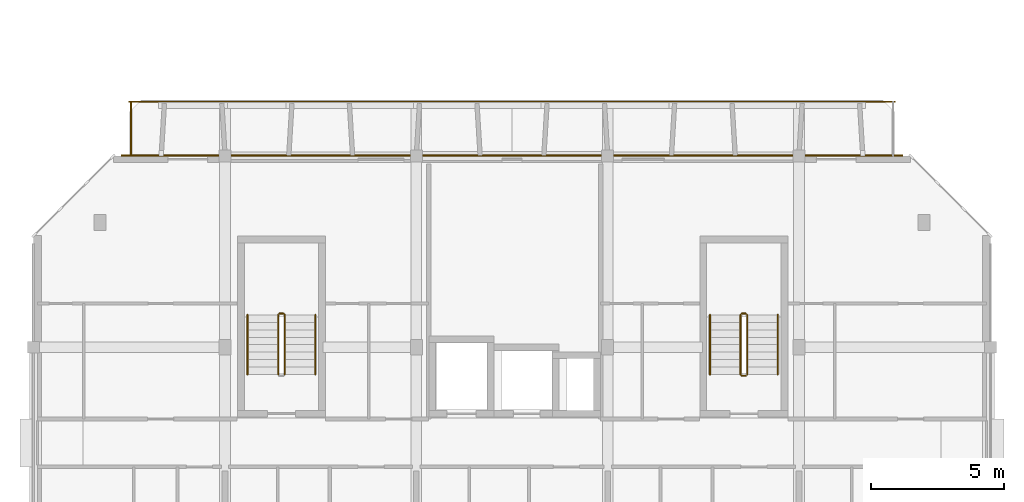
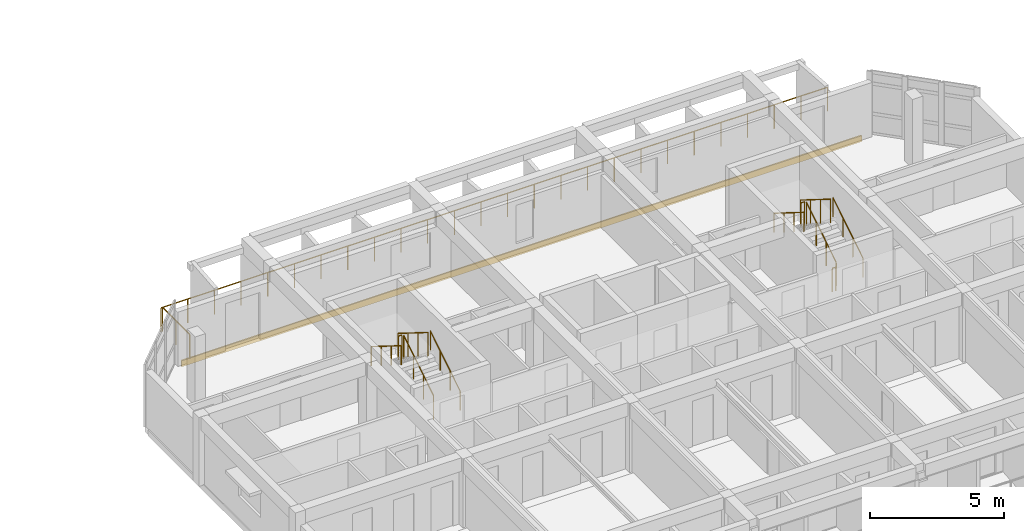
# One storey, part 19 of 22: 13 railings, 1 covering.
"""IFC4 building model written with IfcOpenShell, lengths in metres."""

from ifc_helpers import new_model, si_unit, direction, frame, origin, origin_2d, place, context, subcontext, project, spatial, rectangle, circle, extrude, material, layer, layer_set, type_object, element, save


model = new_model("IFC4")

# Units and contexts
model_context = context("Model", 3, precision=1e-05, world=origin(), true_north=direction((0.0, 1.0)))
body_context = subcontext(model_context, "Body", "Model", "MODEL_VIEW")
ifc_project = project(units=[si_unit("LENGTHUNIT", "METRE"), si_unit("AREAUNIT", "SQUARE_METRE"), si_unit("VOLUMEUNIT", "CUBIC_METRE"), si_unit("PLANEANGLEUNIT", "RADIAN"), si_unit("MASSUNIT", "GRAM", prefix="KILO")], contexts=[model_context])

# Site, building, storey
site_placement = place(None, origin())
site = spatial("IfcSite", under=ifc_project, at=site_placement, CompositionType="ELEMENT")
building_placement = place(site_placement, origin())
building = spatial("IfcBuilding", under=site, at=building_placement, Name="Ochrevale Crest", CompositionType="ELEMENT")
storey_placement = place(building_placement, frame((0.0, 0.0, 40.199951171875)))
storey = spatial("IfcBuildingStorey", under=building, at=storey_placement, Name="L12", CompositionType="ELEMENT", Elevation=40.199951171875)

# Covering
ifc_material_1 = material(Name="Glazed terracotta rainscreen tile", Category="masonry")
ifc_layer = layer(ifc_material_1, 0.048095703125)
ifc_layer_set = layer_set([ifc_layer], Name="Glazed terracotta rainscreen tile")
covering_type = type_object("IfcCoveringType", Name="COV-CLAD-TER", PredefinedType="CLADDING", material=ifc_layer_set)
covering_placement = place(storey_placement, frame((147.60009765625, 36.012451171875, -0.259765625), z_axis=(0.0, 0.0, 1.0), x_axis=(-1.0, 0.0, 0.0)))
element("IfcCovering", 1, at=covering_placement, inside=storey, type_object=covering_type, Name="Block C L12 terracotta slab-edge spandrel cladding", PredefinedType="CLADDING", context=body_context, shape_type="SweptSolid", body=[
    extrude(rectangle(XDim=29.39990234375, YDim=0.06005859375, at=origin_2d()), origin(), (0.0, 0.0, 1.0), 0.280029296875),
])

# Railings
ifc_material_2 = material(Name="Galvanised steel", Category="steel")
railing_type_1 = type_object("IfcRailingType", Name="RL-BAL-1100", PredefinedType="BALUSTRADE", material=ifc_material_2)
railing_1_placement = place(storey_placement, frame((133.199951171875, 38.0400390625, 0.0)))
element("IfcRailing", 2, at=railing_1_placement, inside=storey, type_object=railing_type_1, Name="Block C L12 N balcony front balustrade", PredefinedType="BALUSTRADE", context=body_context, shape_type="SweptSolid", body=[
    extrude(circle(Radius=0.02392578125, at=origin_2d()), frame((0.0, 0.0, 1.0859375), z_axis=(1.0, 0.0, 0.0), x_axis=(0.0, 1.0, 0.0)), (0.0, 0.0, 1.0), 28.800048828125),
    extrude(circle(Radius=0.02099609375, at=origin_2d()), origin(), (0.0, 0.0, 1.0), 1.06201171875),
    extrude(circle(Radius=0.02099609375, at=origin_2d()), frame((1.152099609375, 0.0, 0.0)), (0.0, 0.0, 1.0), 1.06201171875),
    extrude(circle(Radius=0.02099609375, at=origin_2d()), frame((2.303955078125, 0.0, 0.0)), (0.0, 0.0, 1.0), 1.06201171875),
    extrude(circle(Radius=0.02099609375, at=origin_2d()), frame((3.4560546875, 0.0, 0.0)), (0.0, 0.0, 1.0), 1.06201171875),
    extrude(circle(Radius=0.02099609375, at=origin_2d()), frame((4.60791015625, 0.0, 0.0)), (0.0, 0.0, 1.0), 1.06201171875),
    extrude(circle(Radius=0.02099609375, at=origin_2d()), frame((5.760009765625, 0.0, 0.0)), (0.0, 0.0, 1.0), 1.06201171875),
    extrude(circle(Radius=0.02099609375, at=origin_2d()), frame((6.912109375, 0.0, 0.0)), (0.0, 0.0, 1.0), 1.06201171875),
    extrude(circle(Radius=0.02099609375, at=origin_2d()), frame((8.06396484375, 0.0, 0.0)), (0.0, 0.0, 1.0), 1.06201171875),
    extrude(circle(Radius=0.02099609375, at=origin_2d()), frame((9.216064453125, 0.0, 0.0)), (0.0, 0.0, 1.0), 1.06201171875),
    extrude(circle(Radius=0.02099609375, at=origin_2d()), frame((10.367919921875, 0.0, 0.0)), (0.0, 0.0, 1.0), 1.06201171875),
    extrude(circle(Radius=0.02099609375, at=origin_2d()), frame((11.52001953125, 0.0, 0.0)), (0.0, 0.0, 1.0), 1.06201171875),
    extrude(circle(Radius=0.02099609375, at=origin_2d()), frame((12.672119140625, 0.0, 0.0)), (0.0, 0.0, 1.0), 1.06201171875),
    extrude(circle(Radius=0.02099609375, at=origin_2d()), frame((13.823974609375, 0.0, 0.0)), (0.0, 0.0, 1.0), 1.06201171875),
    extrude(circle(Radius=0.02099609375, at=origin_2d()), frame((14.97607421875, 0.0, 0.0)), (0.0, 0.0, 1.0), 1.06201171875),
    extrude(circle(Radius=0.02099609375, at=origin_2d()), frame((16.1279296875, 0.0, 0.0)), (0.0, 0.0, 1.0), 1.06201171875),
    extrude(circle(Radius=0.02099609375, at=origin_2d()), frame((17.280029296875, 0.0, 0.0)), (0.0, 0.0, 1.0), 1.06201171875),
    extrude(circle(Radius=0.02099609375, at=origin_2d()), frame((18.43212890625, 0.0, 0.0)), (0.0, 0.0, 1.0), 1.06201171875),
    extrude(circle(Radius=0.02099609375, at=origin_2d()), frame((19.583984375, 0.0, 0.0)), (0.0, 0.0, 1.0), 1.06201171875),
    extrude(circle(Radius=0.02099609375, at=origin_2d()), frame((20.736083984375, 0.0, 0.0)), (0.0, 0.0, 1.0), 1.06201171875),
    extrude(circle(Radius=0.02099609375, at=origin_2d()), frame((21.887939453125, 0.0, 0.0)), (0.0, 0.0, 1.0), 1.06201171875),
    extrude(circle(Radius=0.02099609375, at=origin_2d()), frame((23.0400390625, 0.0, 0.0)), (0.0, 0.0, 1.0), 1.06201171875),
    extrude(circle(Radius=0.02099609375, at=origin_2d()), frame((24.192138671875, 0.0, 0.0)), (0.0, 0.0, 1.0), 1.06201171875),
    extrude(circle(Radius=0.02099609375, at=origin_2d()), frame((25.343994140625, 0.0, 0.0)), (0.0, 0.0, 1.0), 1.06201171875),
    extrude(circle(Radius=0.02099609375, at=origin_2d()), frame((26.49609375, 0.0, 0.0)), (0.0, 0.0, 1.0), 1.06201171875),
    extrude(circle(Radius=0.02099609375, at=origin_2d()), frame((27.64794921875, 0.0, 0.0)), (0.0, 0.0, 1.0), 1.06201171875),
    extrude(circle(Radius=0.02099609375, at=origin_2d()), frame((28.800048828125, 0.0, 0.0)), (0.0, 0.0, 1.0), 1.06201171875),
])
railing_2_placement = place(storey_placement, frame((133.260009765625, 36.0, 0.0)))
element("IfcRailing", 3, at=railing_2_placement, inside=storey, type_object=railing_type_1, Name="Block C L12 N-W balcony side guard", PredefinedType="BALUSTRADE", context=body_context, shape_type="SweptSolid", body=[
    extrude(circle(Radius=0.02392578125, at=origin_2d()), frame((0.0, 0.0, 1.0859375), z_axis=(0.0, 1.0, 0.0), x_axis=(-1.0, 0.0, 0.0)), (0.0, 0.0, 1.0), 2.0400390625),
    extrude(circle(Radius=0.02099609375, at=origin_2d()), origin(), (0.0, 0.0, 1.0), 1.06201171875),
    extrude(circle(Radius=0.02099609375, at=origin_2d()), frame((0.0, 1.02001953125, 0.0)), (0.0, 0.0, 1.0), 1.06201171875),
    extrude(circle(Radius=0.02099609375, at=origin_2d()), frame((0.0, 2.0400390625, 0.0)), (0.0, 0.0, 1.0), 1.06201171875),
])
railing_type_2 = type_object("IfcRailingType", Name="RL-ST-GUARD", PredefinedType="BALUSTRADE", material=ifc_material_2)
railing_3_placement = place(storey_placement, frame((139.050048828125, 27.77490234375, 0.175048828125)))
element("IfcRailing", 4, at=railing_3_placement, inside=storey, type_object=railing_type_2, Name="L12 ST-C1 stair guard 1", PredefinedType="BALUSTRADE", context=body_context, shape_type="SweptSolid", body=[
    extrude(circle(Radius=0.02392578125, at=origin_2d()), frame((0.0, 0.0, 1.076171875), z_axis=(0.0, 0.848013881152, 0.529974015752), x_axis=(-1.0, 0.0, 0.0)), (0.0, 0.0, 1.0), 2.641357421875),
    extrude(circle(Radius=0.02099609375, at=origin_2d()), origin(), (0.0, 0.0, 1.0), 1.052001953125),
    extrude(circle(Radius=0.02099609375, at=origin_2d()), frame((0.0, 0.74658203125, 0.466552734375)), (0.0, 0.0, 1.0), 1.052001953125),
    extrude(circle(Radius=0.02099609375, at=origin_2d()), frame((0.0, 1.493408203125, 0.933349609375)), (0.0, 0.0, 1.0), 1.052001953125),
    extrude(circle(Radius=0.02099609375, at=origin_2d()), frame((0.0, 2.239990234375, 1.39990234375)), (0.0, 0.0, 1.0), 1.052001953125),
])
railing_4_placement = place(storey_placement, frame((139.0, 30.06494140625, 1.574951171875)))
element("IfcRailing", 5, at=railing_4_placement, inside=storey, type_object=railing_type_2, Name="L12 ST-C1 stair guard 2", PredefinedType="BALUSTRADE", context=body_context, shape_type="SweptSolid", body=[
    extrude(circle(Radius=0.02392578125, at=origin_2d()), frame((0.0, 0.0, 1.076171875), z_axis=(-1.0, 0.0, 0.0), x_axis=(0.0, -1.0, 0.0)), (0.0, 0.0, 1.0), 0.14990234375),
    extrude(circle(Radius=0.02099609375, at=origin_2d()), origin(), (0.0, 0.0, 1.0), 1.052001953125),
    extrude(circle(Radius=0.02099609375, at=origin_2d()), frame((-0.14990234375, 0.0, 0.0)), (0.0, 0.0, 1.0), 1.052001953125),
])
railing_5_placement = place(storey_placement, frame((138.800048828125, 30.014892578125, 1.75)))
element("IfcRailing", 6, at=railing_5_placement, inside=storey, type_object=railing_type_2, Name="L12 ST-C1 stair guard 3", PredefinedType="BALUSTRADE", context=body_context, shape_type="SweptSolid", body=[
    extrude(circle(Radius=0.02392578125, at=origin_2d()), frame((0.0, 0.0, 1.076171875), z_axis=(0.0, -0.847972341737, 0.530040477369), x_axis=(1.0, 0.0, 0.0)), (0.0, 0.0, 1.0), 2.6416015625),
    extrude(circle(Radius=0.02099609375, at=origin_2d()), origin(), (0.0, 0.0, 1.0), 1.052001953125),
    extrude(circle(Radius=0.02099609375, at=origin_2d()), frame((0.0, -0.74658203125, 0.466796875)), (0.0, 0.0, 1.0), 1.052001953125),
    extrude(circle(Radius=0.02099609375, at=origin_2d()), frame((0.0, -1.493408203125, 0.933349609375)), (0.0, 0.0, 1.0), 1.052001953125),
    extrude(circle(Radius=0.02099609375, at=origin_2d()), frame((0.0, -2.239990234375, 1.400146484375)), (0.0, 0.0, 1.0), 1.052001953125),
])
railing_6_placement = place(storey_placement, frame((156.449951171875, 27.77490234375, 0.175048828125)))
element("IfcRailing", 7, at=railing_6_placement, inside=storey, type_object=railing_type_2, Name="L12 ST-C2 stair guard 1", PredefinedType="BALUSTRADE", context=body_context, shape_type="SweptSolid", body=[
    extrude(circle(Radius=0.02392578125, at=origin_2d()), frame((0.0, 0.0, 1.076171875), z_axis=(0.0, 0.848013881152, 0.529974015752), x_axis=(-1.0, 0.0, 0.0)), (0.0, 0.0, 1.0), 2.641357421875),
    extrude(circle(Radius=0.02099609375, at=origin_2d()), origin(), (0.0, 0.0, 1.0), 1.052001953125),
    extrude(circle(Radius=0.02099609375, at=origin_2d()), frame((0.0, 0.74658203125, 0.466552734375)), (0.0, 0.0, 1.0), 1.052001953125),
    extrude(circle(Radius=0.02099609375, at=origin_2d()), frame((0.0, 1.493408203125, 0.933349609375)), (0.0, 0.0, 1.0), 1.052001953125),
    extrude(circle(Radius=0.02099609375, at=origin_2d()), frame((0.0, 2.239990234375, 1.39990234375)), (0.0, 0.0, 1.0), 1.052001953125),
])
railing_7_placement = place(storey_placement, frame((156.39990234375, 30.06494140625, 1.574951171875)))
element("IfcRailing", 8, at=railing_7_placement, inside=storey, type_object=railing_type_2, Name="L12 ST-C2 stair guard 2", PredefinedType="BALUSTRADE", context=body_context, shape_type="SweptSolid", body=[
    extrude(circle(Radius=0.02392578125, at=origin_2d()), frame((0.0, 0.0, 1.076171875), z_axis=(-1.0, 0.0, 0.0), x_axis=(0.0, -1.0, 0.0)), (0.0, 0.0, 1.0), 0.14990234375),
    extrude(circle(Radius=0.02099609375, at=origin_2d()), origin(), (0.0, 0.0, 1.0), 1.052001953125),
    extrude(circle(Radius=0.02099609375, at=origin_2d()), frame((-0.14990234375, 0.0, 0.0)), (0.0, 0.0, 1.0), 1.052001953125),
])
railing_8_placement = place(storey_placement, frame((156.199951171875, 30.014892578125, 1.75)))
element("IfcRailing", 9, at=railing_8_placement, inside=storey, type_object=railing_type_2, Name="L12 ST-C2 stair guard 3", PredefinedType="BALUSTRADE", context=body_context, shape_type="SweptSolid", body=[
    extrude(circle(Radius=0.02392578125, at=origin_2d()), frame((0.0, 0.0, 1.076171875), z_axis=(0.0, -0.847972341737, 0.530040477369), x_axis=(1.0, 0.0, 0.0)), (0.0, 0.0, 1.0), 2.6416015625),
    extrude(circle(Radius=0.02099609375, at=origin_2d()), origin(), (0.0, 0.0, 1.0), 1.052001953125),
    extrude(circle(Radius=0.02099609375, at=origin_2d()), frame((0.0, -0.74658203125, 0.466796875)), (0.0, 0.0, 1.0), 1.052001953125),
    extrude(circle(Radius=0.02099609375, at=origin_2d()), frame((0.0, -1.493408203125, 0.933349609375)), (0.0, 0.0, 1.0), 1.052001953125),
    extrude(circle(Radius=0.02099609375, at=origin_2d()), frame((0.0, -2.239990234375, 1.400146484375)), (0.0, 0.0, 1.0), 1.052001953125),
])
railing_9_placement = place(storey_placement, frame((156.39990234375, 27.72509765625, 0.0)))
element("IfcRailing", 10, at=railing_9_placement, inside=storey, type_object=railing_type_2, Name="L12 ST-C2 stair guard 4", PredefinedType="BALUSTRADE", context=body_context, shape_type="SweptSolid", body=[
    extrude(circle(Radius=0.02392578125, at=origin_2d()), frame((0.0, 0.0, 1.076171875), z_axis=(-1.0, 0.0, 0.0), x_axis=(0.0, -1.0, 0.0)), (0.0, 0.0, 1.0), 0.14990234375),
    extrude(circle(Radius=0.02099609375, at=origin_2d()), origin(), (0.0, 0.0, 1.0), 1.052001953125),
    extrude(circle(Radius=0.02099609375, at=origin_2d()), frame((-0.14990234375, 0.0, 0.0)), (0.0, 0.0, 1.0), 1.052001953125),
])
ifc_material_3 = material(Name="Stainless steel", Category="steel")
railing_type_3 = type_object("IfcRailingType", Name="RL-ST-HRAIL", PredefinedType="HANDRAIL", material=ifc_material_3)
railing_10_placement = place(storey_placement, frame((140.199951171875, 27.77490234375, 0.175048828125)))
element("IfcRailing", 11, at=railing_10_placement, inside=storey, type_object=railing_type_3, Name="L12 ST-C1 stair handrail 1", PredefinedType="HANDRAIL", context=body_context, shape_type="SweptSolid", body=[
    extrude(circle(Radius=0.02392578125, at=origin_2d()), frame((0.0, 0.0, 0.8759765625), z_axis=(0.0, 0.848013881152, 0.529974015752), x_axis=(-1.0, 0.0, 0.0)), (0.0, 0.0, 1.0), 2.641357421875),
    extrude(circle(Radius=0.02099609375, at=origin_2d()), origin(), (0.0, 0.0, 1.0), 0.851806640625),
    extrude(circle(Radius=0.02099609375, at=origin_2d()), frame((0.0, 0.74658203125, 0.466552734375)), (0.0, 0.0, 1.0), 0.851806640625),
    extrude(circle(Radius=0.02099609375, at=origin_2d()), frame((0.0, 1.493408203125, 0.933349609375)), (0.0, 0.0, 1.0), 0.851806640625),
    extrude(circle(Radius=0.02099609375, at=origin_2d()), frame((0.0, 2.239990234375, 1.39990234375)), (0.0, 0.0, 1.0), 0.851806640625),
])
railing_11_placement = place(storey_placement, frame((137.64990234375, 30.014892578125, 1.75)))
element("IfcRailing", 12, at=railing_11_placement, inside=storey, type_object=railing_type_3, Name="L12 ST-C1 stair handrail 2", PredefinedType="HANDRAIL", context=body_context, shape_type="SweptSolid", body=[
    extrude(circle(Radius=0.02392578125, at=origin_2d()), frame((0.0, 0.0, 0.8759765625), z_axis=(0.0, -0.847972341737, 0.530040477369), x_axis=(1.0, 0.0, 0.0)), (0.0, 0.0, 1.0), 2.6416015625),
    extrude(circle(Radius=0.02099609375, at=origin_2d()), origin(), (0.0, 0.0, 1.0), 0.851806640625),
    extrude(circle(Radius=0.02099609375, at=origin_2d()), frame((0.0, -0.74658203125, 0.466796875)), (0.0, 0.0, 1.0), 0.851806640625),
    extrude(circle(Radius=0.02099609375, at=origin_2d()), frame((0.0, -1.493408203125, 0.933349609375)), (0.0, 0.0, 1.0), 0.851806640625),
    extrude(circle(Radius=0.02099609375, at=origin_2d()), frame((0.0, -2.239990234375, 1.400146484375)), (0.0, 0.0, 1.0), 0.851806640625),
])
railing_12_placement = place(storey_placement, frame((157.60009765625, 27.77490234375, 0.175048828125)))
element("IfcRailing", 13, at=railing_12_placement, inside=storey, type_object=railing_type_3, Name="L12 ST-C2 stair handrail 1", PredefinedType="HANDRAIL", context=body_context, shape_type="SweptSolid", body=[
    extrude(circle(Radius=0.02392578125, at=origin_2d()), frame((0.0, 0.0, 0.8759765625), z_axis=(0.0, 0.848013881152, 0.529974015752), x_axis=(-1.0, 0.0, 0.0)), (0.0, 0.0, 1.0), 2.641357421875),
    extrude(circle(Radius=0.02099609375, at=origin_2d()), origin(), (0.0, 0.0, 1.0), 0.851806640625),
    extrude(circle(Radius=0.02099609375, at=origin_2d()), frame((0.0, 0.74658203125, 0.466552734375)), (0.0, 0.0, 1.0), 0.851806640625),
    extrude(circle(Radius=0.02099609375, at=origin_2d()), frame((0.0, 1.493408203125, 0.933349609375)), (0.0, 0.0, 1.0), 0.851806640625),
    extrude(circle(Radius=0.02099609375, at=origin_2d()), frame((0.0, 2.239990234375, 1.39990234375)), (0.0, 0.0, 1.0), 0.851806640625),
])
railing_13_placement = place(storey_placement, frame((155.050048828125, 30.014892578125, 1.75)))
element("IfcRailing", 14, at=railing_13_placement, inside=storey, type_object=railing_type_3, Name="L12 ST-C2 stair handrail 2", PredefinedType="HANDRAIL", context=body_context, shape_type="SweptSolid", body=[
    extrude(circle(Radius=0.02392578125, at=origin_2d()), frame((0.0, 0.0, 0.8759765625), z_axis=(0.0, -0.847972341737, 0.530040477369), x_axis=(1.0, 0.0, 0.0)), (0.0, 0.0, 1.0), 2.6416015625),
    extrude(circle(Radius=0.02099609375, at=origin_2d()), origin(), (0.0, 0.0, 1.0), 0.851806640625),
    extrude(circle(Radius=0.02099609375, at=origin_2d()), frame((0.0, -0.74658203125, 0.466796875)), (0.0, 0.0, 1.0), 0.851806640625),
    extrude(circle(Radius=0.02099609375, at=origin_2d()), frame((0.0, -1.493408203125, 0.933349609375)), (0.0, 0.0, 1.0), 0.851806640625),
    extrude(circle(Radius=0.02099609375, at=origin_2d()), frame((0.0, -2.239990234375, 1.400146484375)), (0.0, 0.0, 1.0), 0.851806640625),
])

save(model, "model.ifc")
